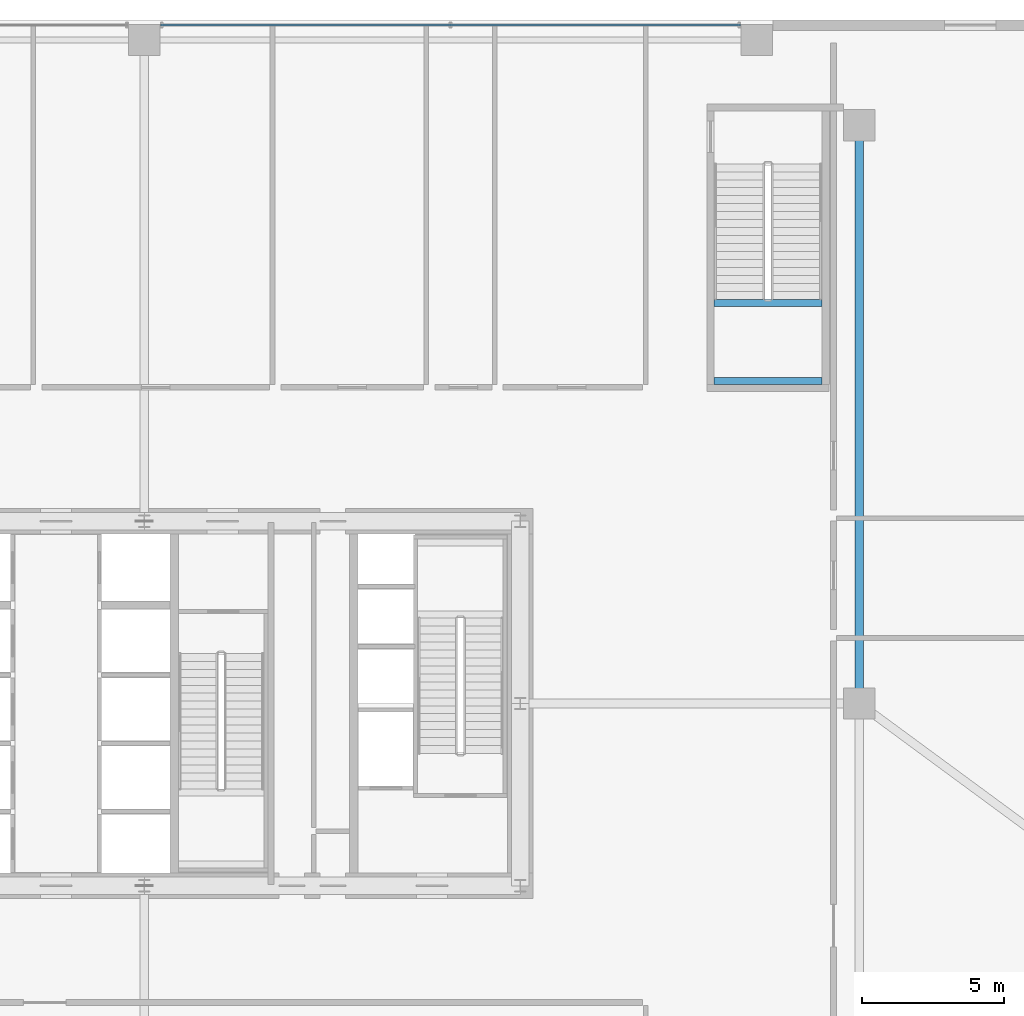
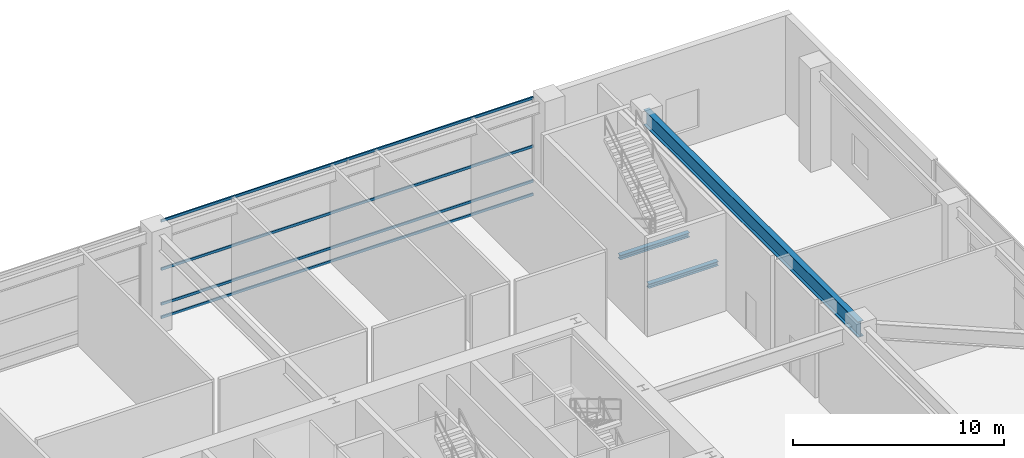
# One storey, part 26 of 39: 4 members, 3 beams, 1 element without a shape of its own.
"""IFC4 building model written with IfcOpenShell, lengths in metres."""

from ifc_helpers import new_model, si_unit, direction, frame, origin, origin_2d, place, context, subcontext, project, spatial, hollow_rectangle, i_section, extrude, source, transform, mapped, material, layer, layer_set, material_profile, profile_set, type_object, element, aggregate, save


model = new_model("IFC4")

# Units and contexts
model_context = context("Model", 3, precision=1e-05, world=origin(), true_north=direction((0.0, 1.0)))
body_context = subcontext(model_context, "Body", "Model", "MODEL_VIEW")
ifc_project = project(units=[si_unit("LENGTHUNIT", "METRE"), si_unit("AREAUNIT", "SQUARE_METRE"), si_unit("VOLUMEUNIT", "CUBIC_METRE"), si_unit("PLANEANGLEUNIT", "RADIAN"), si_unit("MASSUNIT", "GRAM", prefix="KILO"), si_unit("THERMODYNAMICTEMPERATUREUNIT", "KELVIN"), si_unit("POWERUNIT", "WATT")], contexts=[model_context])

# Site, building, storey
site_placement = place(None, origin())
site = spatial("IfcSite", under=ifc_project, at=site_placement, CompositionType="ELEMENT")
building_placement = place(site_placement, origin())
building = spatial("IfcBuilding", under=site, at=building_placement, Name="Yuzanri Waterfront Tower", CompositionType="ELEMENT")
storey_placement = place(building_placement, frame((0.0, 0.0, 19.800048828125)))
storey = spatial("IfcBuildingStorey", under=building, at=storey_placement, Name="L05", CompositionType="ELEMENT", Elevation=19.800048828125)

# Beam
ifc_material_1 = material(Name="Steel Q355B", Category="steel")
ifc_material_profile_1 = material_profile(ifc_material_1, i_section(OverallWidth=0.300048828125, OverallDepth=0.89990234375, WebThickness=0.01611328125, FlangeThickness=0.028076171875, at=origin_2d()), Name="HN 900x300x16x28")
ifc_profile_set_1 = profile_set([ifc_material_profile_1], Name="Steel Q355B")
beam_type_1 = type_object("IfcBeamType", Name="Primary Podium Girder Q355B HN 900x300", PredefinedType="BEAM", material=ifc_profile_set_1)
shared_shape_1 = source(origin(), body_context, "Body", "SweptSolid", [
    extrude(i_section(OverallWidth=0.300048828125, OverallDepth=0.89990234375, WebThickness=0.01611328125, FlangeThickness=0.028076171875, at=origin_2d()), origin(), (0.0, 0.0, 1.0), 20.300048828125),
])
beam_placement = place(storey_placement, frame((62.10009765625, 25.800048828125, 5.22998046875), z_axis=(0.0, 1.0, 0.0), x_axis=(-1.0, 0.0, 0.0)))
element("IfcBeam", 1, at=beam_placement, inside=storey, type_object=beam_type_1, Name="L05 Podium East Spine N", PredefinedType="BEAM", context=body_context, shape_type="MappedRepresentation", body=[
    mapped(shared_shape_1, transform((0.0, 0.0, 0.0), scale=1.0)),
])

# Curtain wall, members
ifc_material_2 = material(Name="Anodized Architectural Bronze", Category="metal")
ifc_layer = layer(ifc_material_2, 0.159912109375)
ifc_layer_set = layer_set([ifc_layer], Name="Anodized Architectural Bronze")
curtain_wall_type = type_object("IfcCurtainWallType", Name="Anodized Bronze Podium Waterfront Double-Height Unitized Curtain Wall 8400", PredefinedType="NOTDEFINED", material=ifc_layer_set)
curtain_wall_placement = place(storey_placement, origin())
curtain_wall = element("IfcCurtainWall", 2, at=curtain_wall_placement, inside=storey, type_object=curtain_wall_type, Name="L05 Curtain Wall CW-L05-N2", PredefinedType="NOTDEFINED")
ifc_material_3 = material(Name="Anodized Architectural Bronze", Category="metal")
ifc_material_profile_2 = material_profile(ifc_material_3, hollow_rectangle(XDim=0.074951171875, YDim=0.14990234375, WallThickness=0.00390625, at=origin_2d()), Name="CWT 75x150")
ifc_profile_set_2 = profile_set([ifc_material_profile_2], Name="Anodized Architectural Bronze")
member_type = type_object("IfcMemberType", Name="Anodized Bronze Primary Curtain-Wall Transom 75x150", PredefinedType="USERDEFINED", material=ifc_profile_set_2)
shared_shape_2 = source(origin(), body_context, "Body", "SweptSolid", [
    extrude(hollow_rectangle(XDim=0.074951171875, YDim=0.14990234375, WallThickness=0.00390625, at=origin_2d()), origin(), (0.0, 0.0, 1.0), 20.35986328125),
])
member_1_placement = place(storey_placement, frame((37.570068359375, 49.6201171875, 0.050048828125), z_axis=(1.0, 0.0, 0.0), x_axis=(0.0, 1.0, 0.0)))
member_1 = element("IfcMember", 3, at=member_1_placement, type_object=member_type, Name="CW-L05-N2 Transom 1", ObjectType="TRANSOM", PredefinedType="USERDEFINED", context=body_context, shape_type="MappedRepresentation", body=[
    mapped(shared_shape_2, transform((0.0, 0.0, 0.0), scale=1.0)),
])
member_2_placement = place(storey_placement, frame((37.570068359375, 49.6201171875, 0.820068359375), z_axis=(1.0, 0.0, 0.0), x_axis=(0.0, 1.0, 0.0)))
member_2 = element("IfcMember", 4, at=member_2_placement, type_object=member_type, Name="CW-L05-N2 Transom 2", ObjectType="TRANSOM", PredefinedType="USERDEFINED", context=body_context, shape_type="MappedRepresentation", body=[
    mapped(shared_shape_2, transform((0.0, 0.0, 0.0), scale=1.0)),
])
member_3_placement = place(storey_placement, frame((37.570068359375, 49.6201171875, 2.83984375), z_axis=(1.0, 0.0, 0.0), x_axis=(0.0, 1.0, 0.0)))
member_3 = element("IfcMember", 5, at=member_3_placement, type_object=member_type, Name="CW-L05-N2 Transom 3", ObjectType="TRANSOM", PredefinedType="USERDEFINED", context=body_context, shape_type="MappedRepresentation", body=[
    mapped(shared_shape_2, transform((0.0, 0.0, 0.0), scale=1.0)),
])
member_4_placement = place(storey_placement, frame((37.570068359375, 49.6201171875, 5.6298828125), z_axis=(1.0, 0.0, 0.0), x_axis=(0.0, 1.0, 0.0)))
member_4 = element("IfcMember", 6, at=member_4_placement, type_object=member_type, Name="CW-L05-N2 Transom 4", ObjectType="TRANSOM", PredefinedType="USERDEFINED", context=body_context, shape_type="MappedRepresentation", body=[
    mapped(shared_shape_2, transform((0.0, 0.0, 0.0), scale=1.0)),
])
aggregate(curtain_wall, [member_1, member_2, member_3, member_4])

# Beams
ifc_material_4 = material(Name="Steel Q355B", Category="steel")
ifc_material_profile_3 = material_profile(ifc_material_4, i_section(OverallWidth=0.25, OverallDepth=0.25, WebThickness=0.009033203125, FlangeThickness=0.013916015625, at=origin_2d()), Name="HW 250x250x9x14")
ifc_profile_set_3 = profile_set([ifc_material_profile_3], Name="Steel Q355B")
beam_type_2 = type_object("IfcBeamType", Name="Stair Landing Support Beam Q355B HW 250x250", PredefinedType="BEAM", material=ifc_profile_set_3)
shared_shape_3 = source(origin(), body_context, "Body", "SweptSolid", [
    extrude(i_section(OverallWidth=0.25, OverallDepth=0.25, WebThickness=0.009033203125, FlangeThickness=0.013916015625, at=origin_2d()), origin(), (0.0, 0.0, 1.0), 3.800048828125),
])
for number, where, z_axis, x_axis, name in (
    (7, (57.0, 37.1298828125, 2.675048828125), (1.0, 0.0, 0.0), (0.0, 1.0, 0.0), "L05 Stair Landing Support Beam PST-03-L05-L1-1"),
    (8, (57.0, 39.860107421875, 2.675048828125), (1.0, 0.0, 0.0), (0.0, 1.0, 0.0), "L05 Stair Landing Support Beam PST-03-L05-L1-2"),
):
    element("IfcBeam", number, at=place(storey_placement, frame(where, z_axis=z_axis, x_axis=x_axis)), inside=storey, type_object=beam_type_2, Name=name, PredefinedType="BEAM", context=body_context, shape_type="MappedRepresentation", body=[
        mapped(shared_shape_3, transform((0.0, 0.0, 0.0), scale=1.0)),
    ])

save(model, "model.ifc")
